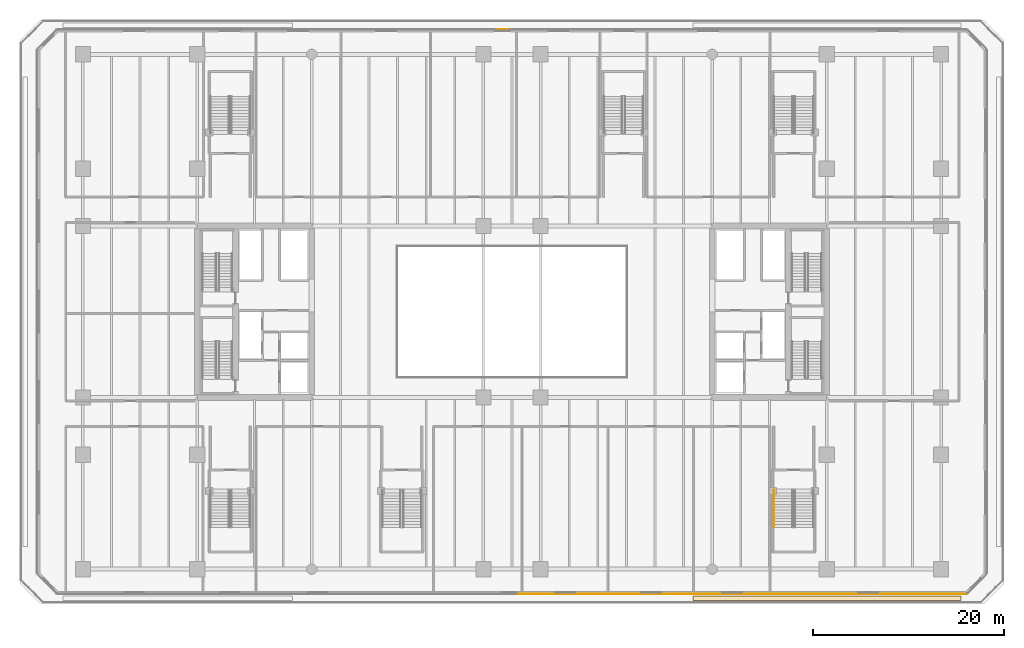
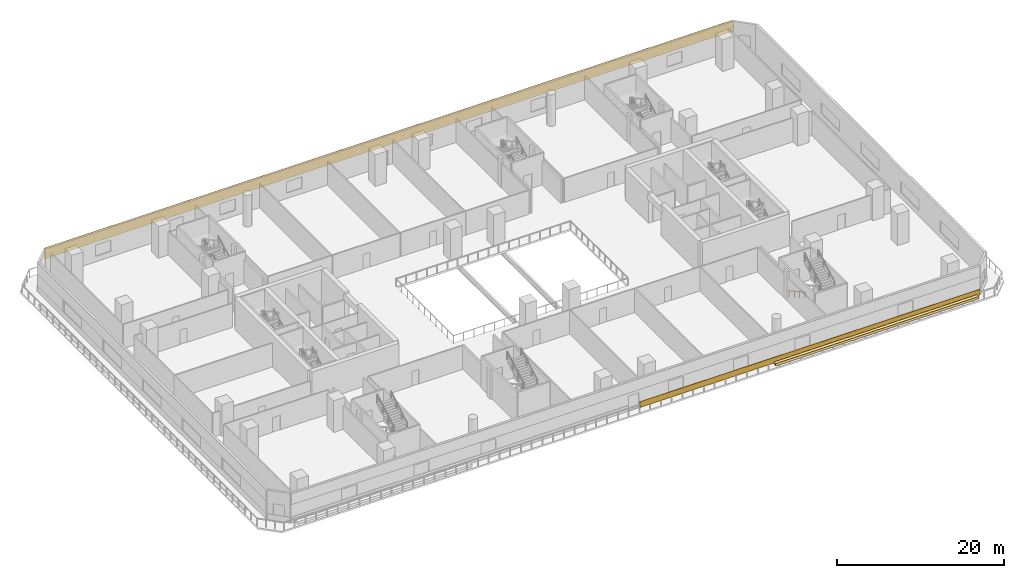
# One storey, part 21 of 27: 3 coverings, 1 railing.
"""IFC4 building model written with IfcOpenShell, lengths in metres."""

from ifc_helpers import new_model, si_unit, direction, frame, origin, origin_2d, place, context, subcontext, project, spatial, polyline, rectangle, outline, extrude, material, layer, layer_set, type_object, element, save


model = new_model("IFC4")

# Units and contexts
model_context = context("Model", 3, precision=1e-05, world=origin(), true_north=direction((0.0, 1.0)))
body_context = subcontext(model_context, "Body", "Model", "MODEL_VIEW")
ifc_project = project(units=[si_unit("LENGTHUNIT", "METRE"), si_unit("AREAUNIT", "SQUARE_METRE"), si_unit("VOLUMEUNIT", "CUBIC_METRE"), si_unit("PLANEANGLEUNIT", "RADIAN"), si_unit("MASSUNIT", "GRAM", prefix="KILO")], contexts=[model_context])

# Site, building, storey
site_placement = place(None, origin())
site = spatial("IfcSite", under=ifc_project, at=site_placement, CompositionType="ELEMENT")
building_placement = place(site_placement, origin())
building = spatial("IfcBuilding", under=site, at=building_placement, Name="Tanjung Sevakor Pilgrim Tower", CompositionType="ELEMENT")
storey_placement = place(building_placement, frame((0.0, 0.0, 19.469970703125)))
storey = spatial("IfcBuildingStorey", under=building, at=storey_placement, Name="L05", CompositionType="ELEMENT", Elevation=19.469970703125)

# Coverings
ifc_material_1 = material(Name="Reconstructed Limestone Cladding", Category="masonry")
ifc_layer_1 = layer(ifc_material_1, 0.044921875)
ifc_layer_set_1 = layer_set([ifc_layer_1], Name="COV-CLAD-LIMESTONE")
covering_type_1 = type_object("IfcCoveringType", Name="COV-CLAD-LIMESTONE", PredefinedType="CLADDING", material=ifc_layer_set_1)
covering_1_placement = place(storey_placement, frame((81.0810546875, 3.9775390625, 0.009765625), z_axis=(0.0, 0.0, 1.0), x_axis=(1.0, 0.0, 0.0)))
element("IfcCovering", 1, at=covering_1_placement, inside=storey, type_object=covering_type_1, Name="L05 Warm Limestone Sill Spandrel EW-L05-MAIN-1-2", PredefinedType="CLADDING", context=body_context, shape_type="SweptSolid", body=[
    extrude(rectangle(XDim=47.0419921875, YDim=0.044921875, at=origin_2d()), origin(), (0.0, 0.0, 1.0), 0.840087890625),
])
covering_2_placement = place(storey_placement, frame((57.0, 63.222412109375, 2.659912109375), z_axis=(0.0, 0.0, 1.0), x_axis=(-1.0, 0.0, 0.0)))
element("IfcCovering", 2, at=covering_2_placement, inside=storey, type_object=covering_type_1, Name="L05 Warm Limestone Cornice Spandrel EW-L05-MAIN-5", PredefinedType="CLADDING", context=body_context, shape_type="SweptSolid", body=[
    extrude(rectangle(XDim=95.243896484375, YDim=0.044921875, at=origin_2d()), origin(), (0.0, 0.0, 1.0), 1.60009765625),
])
ifc_material_2 = material(Name="Vegetated Modular Planter Assembly", Category="organic")
ifc_layer_2 = layer(ifc_material_2, 0.35009765625)
ifc_layer_set_2 = layer_set([ifc_layer_2], Name="COV-GRN-TROUGH")
covering_type_2 = type_object("IfcCoveringType", Name="COV-GRN-TROUGH", PredefinedType="CLADDING", material=ifc_layer_set_2)
covering_3_placement = place(storey_placement, origin())
element("IfcCovering", 3, at=covering_3_placement, inside=storey, type_object=covering_type_2, Name="L05 Planted Landscape Hedge Trough PGRN-L05-SE", PredefinedType="CLADDING", context=body_context, shape_type="SweptSolid", body=[
    extrude(outline(polyline([(76.0, 3.330078125), (104.10009765625, 3.330078125), (104.10009765625, 3.77001953125), (76.0, 3.77001953125), (76.0, 3.330078125)])), origin(), (0.0, 0.0, 1.0), 0.35009765625),
])

# Railing
ifc_material_3 = material(Name="Steel S355J2", Category="steel")
railing_type = type_object("IfcRailingType", Name="RL-STAIR-HAND", PredefinedType="HANDRAIL", material=ifc_material_3)
railing_placement = place(storey_placement, frame((84.5, 14.89990234375, 0.1650390625)))
element("IfcRailing", 4, at=railing_placement, inside=storey, type_object=railing_type, Name="L05 PS-5 stair handrail 1", PredefinedType="HANDRAIL", context=body_context, shape_type="SweptSolid", body=[
    extrude(rectangle(XDim=0.0479, YDim=0.0479), frame((0.0, 0.0, 0.8759765625), z_axis=(0.0, -0.876208959939, 0.481931383625), x_axis=(1.0, 0.0, 0.0)), (0.0, 0.0, 1.0), 4.450927734375),
    extrude(rectangle(XDim=0.042, YDim=0.042), origin(), (0.0, 0.0, 1.0), 0.851806640625),
    extrude(rectangle(XDim=0.042, YDim=0.042), frame((0.0, -1.300048828125, 0.715087890625)), (0.0, 0.0, 1.0), 0.851806640625),
    extrude(rectangle(XDim=0.042, YDim=0.042), frame((0.0, -2.599853515625, 1.429931640625)), (0.0, 0.0, 1.0), 0.851806640625),
    extrude(rectangle(XDim=0.042, YDim=0.042), frame((0.0, -3.89990234375, 2.14501953125)), (0.0, 0.0, 1.0), 0.851806640625),
])

save(model, "model.ifc")
